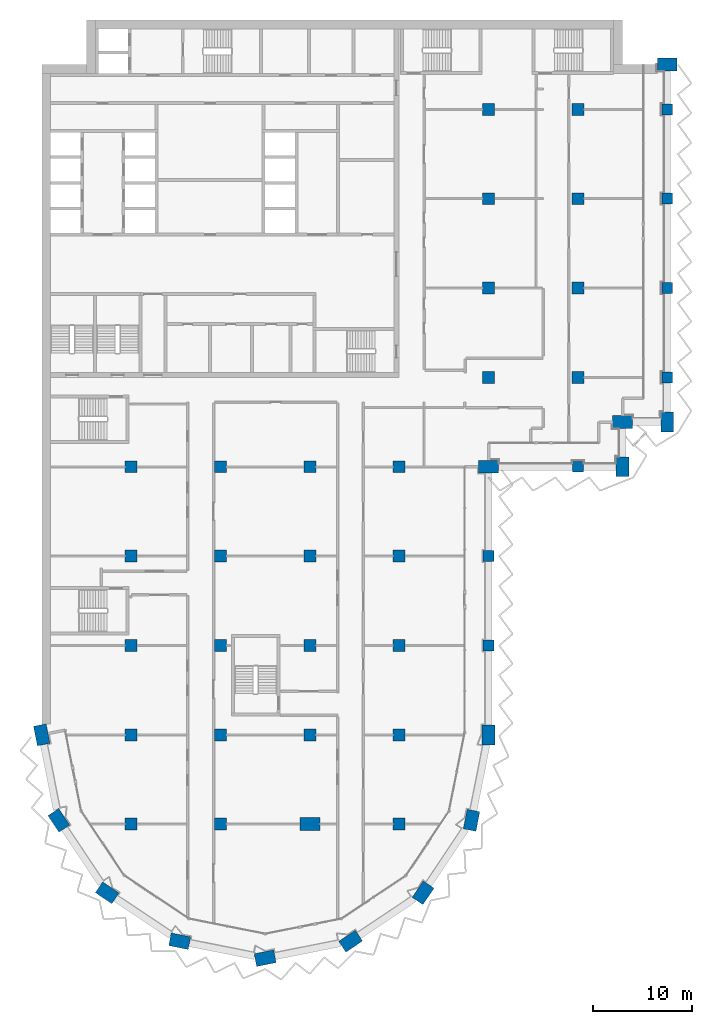
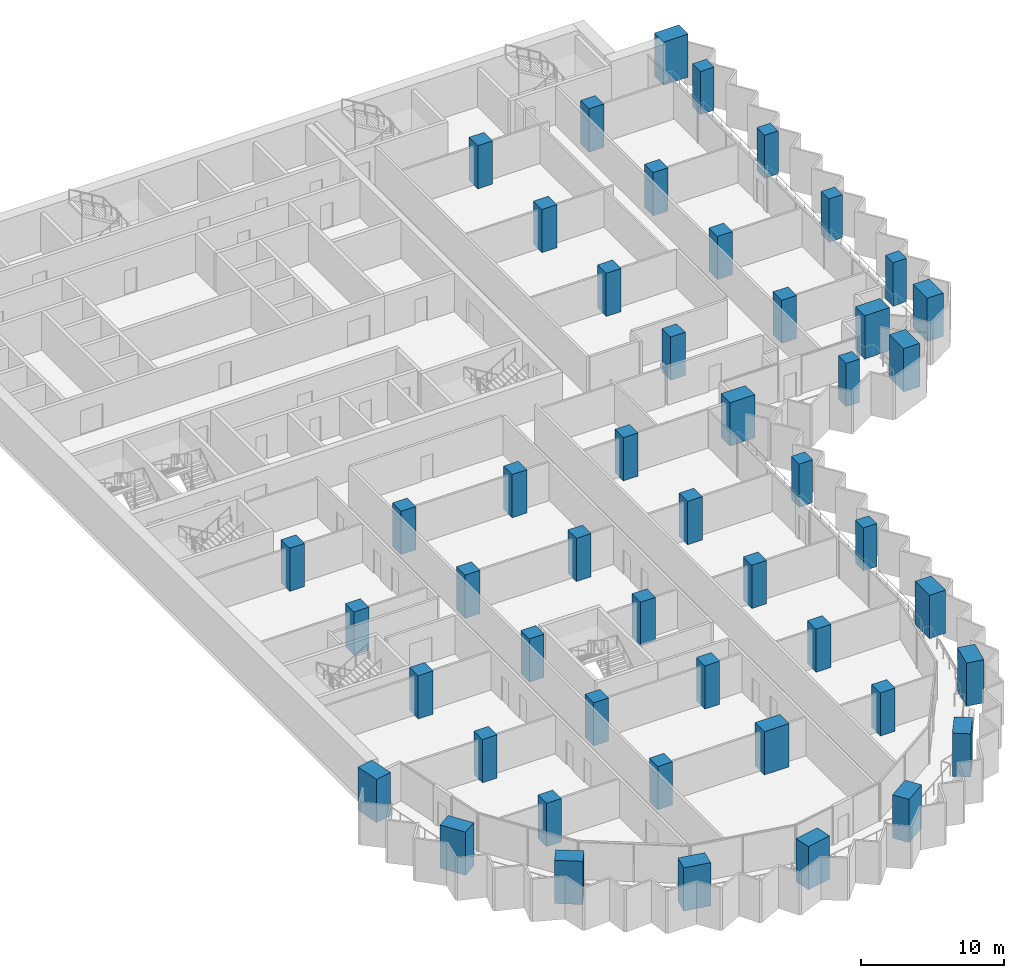
# One storey, part 1 of 22: 49 columns.
"""IFC4 building model written with IfcOpenShell, lengths in metres."""

from ifc_helpers import new_model, si_unit, direction, frame, origin, origin_2d, place, context, subcontext, project, spatial, rectangle, extrude, material, material_profile, profile_set, type_object, element, save


model = new_model("IFC4")

# Units and contexts
model_context = context("Model", 3, precision=1e-05, world=origin(), true_north=direction((0.0, 1.0)))
body_context = subcontext(model_context, "Body", "Model", "MODEL_VIEW")
ifc_project = project(units=[si_unit("LENGTHUNIT", "METRE"), si_unit("AREAUNIT", "SQUARE_METRE"), si_unit("VOLUMEUNIT", "CUBIC_METRE"), si_unit("PLANEANGLEUNIT", "RADIAN"), si_unit("MASSUNIT", "GRAM", prefix="KILO")], contexts=[model_context])

# Site, building, storey
site_placement = place(None, origin())
site = spatial("IfcSite", under=ifc_project, at=site_placement, CompositionType="ELEMENT")
building_placement = place(site_placement, origin())
building = spatial("IfcBuilding", under=site, at=building_placement, Name="Hunhe Ridgeline Campus", CompositionType="ELEMENT")
storey_placement = place(building_placement, frame((0.0, 0.0, 156.0)))
storey = spatial("IfcBuildingStorey", under=building, at=storey_placement, Name="L39", CompositionType="ELEMENT", Elevation=156.0)

# Columns
ifc_material = material(Name="Concrete C70", Category="concrete")
ifc_material_profile_1 = material_profile(ifc_material, rectangle(XDim=2.0, YDim=1.300048828125, at=origin_2d()))
ifc_profile_set_1 = profile_set([ifc_material_profile_1], Name="Concrete C70")
column_type_1 = type_object("IfcColumnType", Name="Megacolumn 2000x1300 Concrete C70", PredefinedType="COLUMN", material=ifc_profile_set_1)
for number, where, z_axis, x_axis, name in (
    (1, (22.5, 4.5, 0.0), (0.0, 0.0, 1.0), (0.980785280403, 0.195090322016, 0.0), "Column C9 R1 L39"),
    (2, (13.8896484375, 6.212646484375, 0.0), (0.0, 0.0, 1.0), (-0.980785280403, 0.195090322016, 0.0), "Column C9 R2 L39"),
    (3, (31.1103515625, 6.212646484375, 0.0), (0.0, 0.0, 1.0), (0.831469612303, 0.55557023302, 0.0), "Column C9 R3 L39"),
    (4, (6.590087890625, 11.090087890625, 0.0), (0.0, 0.0, 1.0), (-0.831469612303, 0.55557023302, 0.0), "Column C9 R4 L39"),
    (5, (38.409912109375, 11.090087890625, 0.0), (0.0, 0.0, 1.0), (0.55557023302, 0.831469612303, 0.0), "Column C9 R5 L39"),
    (6, (1.712646484375, 18.3896484375, 0.0), (0.0, 0.0, 1.0), (-0.55557023302, 0.831469612303, 0.0), "Column C9 R9 L39"),
    (7, (43.287353515625, 18.3896484375, 0.0), (0.0, 0.0, 1.0), (0.195090322016, 0.980785280403, 0.0), "Column C9 R10 L39"),
    (8, (0.0, 27.0, 0.0), (0.0, 0.0, 1.0), (-0.195090322016, 0.980785280403, 0.0), "Column C9 D1 L39"),
    (9, (45.0, 27.0, 0.0), (0.0, 0.0, 1.0), (0.0, 1.0, 0.0), "Column C9 D6 L39"),
    (10, (45.0, 54.0, 0.0), (0.0, 0.0, 1.0), (1.0, 0.0, 0.0), "Column C9 G6 L39"),
    (11, (58.5, 54.0, 0.0), (0.0, 0.0, 1.0), (0.0, 1.0, 0.0), "Column C9 R30 L39"),
    (12, (58.5, 58.5, 0.0), (0.0, 0.0, 1.0), (1.0, 0.0, 0.0), "Column C9 R35 L39"),
    (13, (63.0, 58.5, 0.0), (0.0, 0.0, 1.0), (0.0, 1.0, 0.0), "Column C9 R36 L39"),
    (14, (63.0, 94.5, 0.0), (0.0, 0.0, 1.0), (1.0, 0.0, 0.0), "Column C9 R42 L39"),
    (15, (27.0, 18.0, 0.0), (0.0, 0.0, 1.0), (1.0, 0.0, 0.0), "Column C9 C4 L39"),
):
    element("IfcColumn", number, at=place(storey_placement, frame(where, z_axis=z_axis, x_axis=x_axis)), inside=storey, type_object=column_type_1, Name=name, PredefinedType="COLUMN", context=body_context, shape_type="SweptSolid", body=[
        extrude(rectangle(XDim=2.0, YDim=1.300048828125, at=origin_2d()), origin(), (0.0, 0.0, 1.0), 3.699951171875),
    ])
ifc_material_profile_2 = material_profile(ifc_material, rectangle(XDim=1.10009765625, YDim=1.10009765625, at=origin_2d()))
ifc_profile_set_2 = profile_set([ifc_material_profile_2], Name="Concrete C70")
column_type_2 = type_object("IfcColumnType", Name="RC column 1100x1100 Concrete C70", PredefinedType="COLUMN", material=ifc_profile_set_2)
for number, where, z_axis, x_axis, name in (
    (16, (45.0, 36.0, 0.0), (0.0, 0.0, 1.0), (1.0, 0.0, 0.0), "Column C10 E6 L39"),
    (17, (45.0, 45.0, 0.0), (0.0, 0.0, 1.0), (1.0, 0.0, 0.0), "Column C10 F6 L39"),
    (18, (54.0, 54.0, 0.0), (0.0, 0.0, 1.0), (1.0, 0.0, 0.0), "Column C10 G7 L39"),
    (19, (63.0, 63.0, 0.0), (0.0, 0.0, 1.0), (1.0, 0.0, 0.0), "Column C10 H8 L39"),
    (20, (63.0, 72.0, 0.0), (0.0, 0.0, 1.0), (1.0, 0.0, 0.0), "Column C10 I8 L39"),
    (21, (63.0, 81.0, 0.0), (0.0, 0.0, 1.0), (1.0, 0.0, 0.0), "Column C10 J8 L39"),
    (22, (63.0, 90.0, 0.0), (0.0, 0.0, 1.0), (1.0, 0.0, 0.0), "Column C10 K8 L39"),
):
    element("IfcColumn", number, at=place(storey_placement, frame(where, z_axis=z_axis, x_axis=x_axis)), inside=storey, type_object=column_type_2, Name=name, PredefinedType="COLUMN", context=body_context, shape_type="SweptSolid", body=[
        extrude(rectangle(XDim=1.10009765625, YDim=1.10009765625, at=origin_2d()), origin(), (0.0, 0.0, 1.0), 3.699951171875),
    ])
ifc_material_profile_3 = material_profile(ifc_material, rectangle(XDim=1.199951171875, YDim=1.199951171875, at=origin_2d()))
ifc_profile_set_3 = profile_set([ifc_material_profile_3], Name="Concrete C70")
column_type_3 = type_object("IfcColumnType", Name="RC column 1200x1200 Concrete C70", PredefinedType="COLUMN", material=ifc_profile_set_3)
for number, where, z_axis, x_axis, name in (
    (23, (9.0, 18.0, 0.0), (0.0, 0.0, 1.0), (1.0, 0.0, 0.0), "Column C7 C2 L39"),
    (24, (9.0, 27.0, 0.0), (0.0, 0.0, 1.0), (1.0, 0.0, 0.0), "Column C7 D2 L39"),
    (25, (9.0, 36.0, 0.0), (0.0, 0.0, 1.0), (1.0, 0.0, 0.0), "Column C7 E2 L39"),
    (26, (9.0, 45.0, 0.0), (0.0, 0.0, 1.0), (1.0, 0.0, 0.0), "Column C7 F2 L39"),
    (27, (9.0, 54.0, 0.0), (0.0, 0.0, 1.0), (1.0, 0.0, 0.0), "Column C7 G2 L39"),
    (28, (18.0, 18.0, 0.0), (0.0, 0.0, 1.0), (1.0, 0.0, 0.0), "Column C7 C3 L39"),
    (29, (18.0, 27.0, 0.0), (0.0, 0.0, 1.0), (1.0, 0.0, 0.0), "Column C7 D3 L39"),
    (30, (18.0, 36.0, 0.0), (0.0, 0.0, 1.0), (1.0, 0.0, 0.0), "Column C7 E3 L39"),
    (31, (18.0, 45.0, 0.0), (0.0, 0.0, 1.0), (1.0, 0.0, 0.0), "Column C7 F3 L39"),
    (32, (18.0, 54.0, 0.0), (0.0, 0.0, 1.0), (1.0, 0.0, 0.0), "Column C7 G3 L39"),
    (33, (27.0, 27.0, 0.0), (0.0, 0.0, 1.0), (1.0, 0.0, 0.0), "Column C7 D4 L39"),
    (34, (27.0, 36.0, 0.0), (0.0, 0.0, 1.0), (1.0, 0.0, 0.0), "Column C7 E4 L39"),
    (35, (27.0, 45.0, 0.0), (0.0, 0.0, 1.0), (1.0, 0.0, 0.0), "Column C7 F4 L39"),
    (36, (27.0, 54.0, 0.0), (0.0, 0.0, 1.0), (1.0, 0.0, 0.0), "Column C7 G4 L39"),
    (37, (36.0, 18.0, 0.0), (0.0, 0.0, 1.0), (1.0, 0.0, 0.0), "Column C7 C5 L39"),
    (38, (36.0, 27.0, 0.0), (0.0, 0.0, 1.0), (1.0, 0.0, 0.0), "Column C7 D5 L39"),
    (39, (36.0, 36.0, 0.0), (0.0, 0.0, 1.0), (1.0, 0.0, 0.0), "Column C7 E5 L39"),
    (40, (36.0, 45.0, 0.0), (0.0, 0.0, 1.0), (1.0, 0.0, 0.0), "Column C7 F5 L39"),
    (41, (36.0, 54.0, 0.0), (0.0, 0.0, 1.0), (1.0, 0.0, 0.0), "Column C7 G5 L39"),
    (42, (45.0, 63.0, 0.0), (0.0, 0.0, 1.0), (1.0, 0.0, 0.0), "Column C7 H6 L39"),
    (43, (45.0, 72.0, 0.0), (0.0, 0.0, 1.0), (1.0, 0.0, 0.0), "Column C7 I6 L39"),
    (44, (45.0, 81.0, 0.0), (0.0, 0.0, 1.0), (1.0, 0.0, 0.0), "Column C7 J6 L39"),
    (45, (45.0, 90.0, 0.0), (0.0, 0.0, 1.0), (1.0, 0.0, 0.0), "Column C7 K6 L39"),
    (46, (54.0, 63.0, 0.0), (0.0, 0.0, 1.0), (1.0, 0.0, 0.0), "Column C7 H7 L39"),
    (47, (54.0, 72.0, 0.0), (0.0, 0.0, 1.0), (1.0, 0.0, 0.0), "Column C7 I7 L39"),
    (48, (54.0, 81.0, 0.0), (0.0, 0.0, 1.0), (1.0, 0.0, 0.0), "Column C7 J7 L39"),
    (49, (54.0, 90.0, 0.0), (0.0, 0.0, 1.0), (1.0, 0.0, 0.0), "Column C7 K7 L39"),
):
    element("IfcColumn", number, at=place(storey_placement, frame(where, z_axis=z_axis, x_axis=x_axis)), inside=storey, type_object=column_type_3, Name=name, PredefinedType="COLUMN", context=body_context, shape_type="SweptSolid", body=[
        extrude(rectangle(XDim=1.199951171875, YDim=1.199951171875, at=origin_2d()), origin(), (0.0, 0.0, 1.0), 3.699951171875),
    ])

save(model, "model.ifc")
